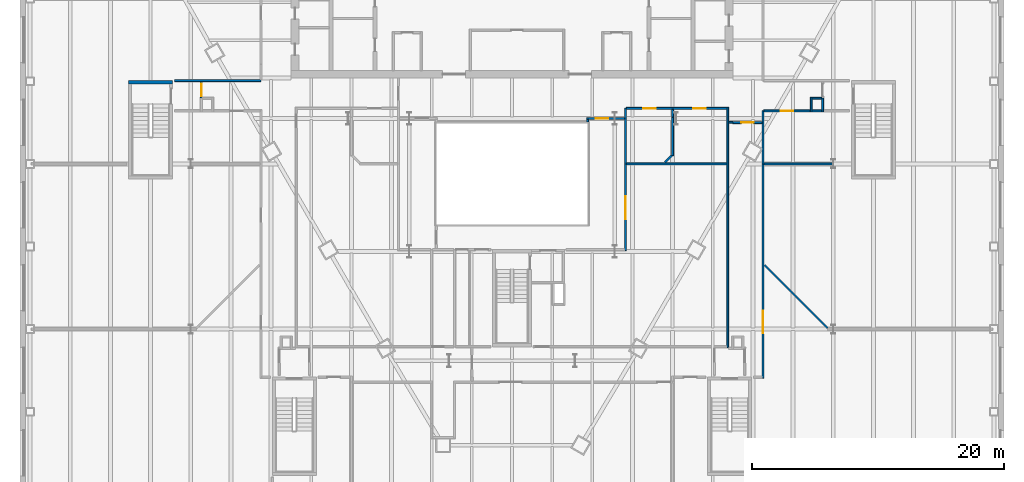
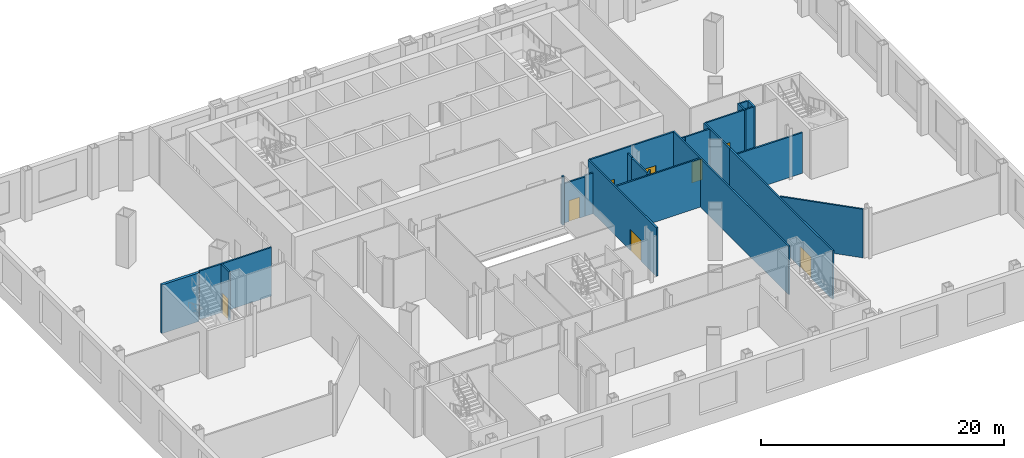
# One storey, part 11 of 21: 24 walls, 8 doors, 8 openings.
"""IFC4 building model written with IfcOpenShell, lengths in metres."""

from ifc_helpers import new_model, si_unit, direction, frame, frame_2d, origin, place, context, subcontext, project, spatial, rectangle, extrude, material, layer, layer_set, type_object, element, fill, save


model = new_model("IFC4")

# Units and contexts
model_context = context("Model", 3, precision=1e-05, world=origin(), true_north=direction((0.0, 1.0)))
body_context = subcontext(model_context, "Body", "Model", "MODEL_VIEW")
ifc_project = project(units=[si_unit("LENGTHUNIT", "METRE"), si_unit("AREAUNIT", "SQUARE_METRE"), si_unit("VOLUMEUNIT", "CUBIC_METRE"), si_unit("PLANEANGLEUNIT", "RADIAN"), si_unit("MASSUNIT", "GRAM", prefix="KILO")], contexts=[model_context])

# Site, building, storey
site_placement = place(None, origin())
site = spatial("IfcSite", under=ifc_project, at=site_placement, CompositionType="ELEMENT")
building_placement = place(site_placement, origin())
building = spatial("IfcBuilding", under=site, at=building_placement, Name="Njiva Tower", CompositionType="ELEMENT")
storey_placement = place(building_placement, frame((0.0, 0.0, 8.4)))
storey = spatial("IfcBuildingStorey", under=building, at=storey_placement, Name="L01", CompositionType="ELEMENT", Elevation=8.4)

# Wall
ifc_material_1 = material(Name="Gypsum board on steel studs", Category="gypsum")
ifc_layer_1 = layer(ifc_material_1, 0.15)
ifc_layer_set_1 = layer_set([ifc_layer_1], Name="Gypsum board on steel studs")
wall_type_1 = type_object("IfcWallType", Name="WT21 Compartment wall 150", PredefinedType="PARTITIONING", material=ifc_layer_set_1)
wall_1_placement = place(storey_placement, frame((-26.75, -0.2, 0.0), z_axis=(0.0, 0.0, 1.0), x_axis=(1.0, 0.0, 0.0)))
element("IfcWall", 1, at=wall_1_placement, inside=storey, type_object=wall_type_1, Name="Partition L01-P005", PredefinedType="PARTITIONING", context=body_context, shape_type="SweptSolid", body=[
    extrude(rectangle(XDim=6.846, YDim=0.15, at=frame_2d((3.423, 0.0))), origin(), (0.0, 0.0, 1.0), 4.88),
])

# Wall, opening, door
wall_2_placement = place(storey_placement, frame((-24.625, -1.588, 0.0), z_axis=(0.0, 0.0, 1.0), x_axis=(0.0, 1.0, 0.0)))
wall_2 = element("IfcWall", 2, at=wall_2_placement, inside=storey, type_object=wall_type_1, Name="Partition L01-P008", PredefinedType="PARTITIONING", context=body_context, shape_type="SweptSolid", body=[
    extrude(rectangle(XDim=1.313, YDim=0.15, at=frame_2d((0.6565, 0.0))), origin(), (0.0, 0.0, 1.0), 4.88),
])
opening_1_placement = place(wall_2_placement, frame((0.157, 0.0, 0.0)))
opening_1 = element("IfcOpeningElement", 3, at=opening_1_placement, cuts=wall_2, Name="Opening L01-D001", PredefinedType="OPENING", context=body_context, shape_type="SweptSolid", body=[
    extrude(rectangle(XDim=1.0, YDim=2.1, at=frame_2d((0.5, 1.05))), frame((0.0, 0.085, 0.0), z_axis=(0.0, -1.0, 0.0), x_axis=(1.0, 0.0, 0.0)), (0.0, 0.0, 1.0), 0.17),
])
ifc_material_2 = material(Name="Glazed steel fire door", Category="steel")
door_type_1 = type_object("IfcDoorType", Name="D41 Glazed fire door 1000x2100", OperationType="SINGLE_SWING_LEFT", PredefinedType="DOOR", material=ifc_material_2)
door_1_placement = place(opening_1_placement, origin())
door_1 = element("IfcDoor", 4, at=door_1_placement, inside=storey, type_object=door_type_1, Name="Door L01-D001", OperationType="SINGLE_SWING_LEFT", OverallHeight=2.1, OverallWidth=1.0, PredefinedType="DOOR", context=body_context, shape_type="SweptSolid", body=[
    extrude(rectangle(XDim=1.0, YDim=2.1, at=frame_2d((0.5, 1.05))), frame((0.0, 0.025, 0.0), z_axis=(0.0, -1.0, 0.0), x_axis=(1.0, 0.0, 0.0)), (0.0, 0.0, 1.0), 0.05),
])
fill(opening_1, door_1)

wall_3_placement = place(storey_placement, frame((5.925, -3.2, 0.0), z_axis=(0.0, 0.0, 1.0), x_axis=(1.0, 0.0, 0.0)))
wall_3 = element("IfcWall", 5, at=wall_3_placement, inside=storey, type_object=wall_type_1, Name="Partition L01-P059", PredefinedType="PARTITIONING", context=body_context, shape_type="SweptSolid", body=[
    extrude(rectangle(XDim=2.225, YDim=0.15, at=frame_2d((1.1125, 0.0))), origin(), (0.0, 0.0, 1.0), 3.97),
])
opening_2_placement = place(wall_3_placement, frame((0.713, 0.0, 0.0)))
opening_2 = element("IfcOpeningElement", 6, at=opening_2_placement, cuts=wall_3, Name="Opening L01-D022", PredefinedType="OPENING", context=body_context, shape_type="SweptSolid", body=[
    extrude(rectangle(XDim=1.0, YDim=2.1, at=frame_2d((0.5, 1.05))), frame((0.0, 0.085, 0.0), z_axis=(0.0, -1.0, 0.0), x_axis=(1.0, 0.0, 0.0)), (0.0, 0.0, 1.0), 0.17),
])
ifc_material_3 = material(Name="Steel fire door set", Category="steel")
door_type_2 = type_object("IfcDoorType", Name="D37 Fire door 1000x2100", OperationType="SINGLE_SWING_LEFT", PredefinedType="DOOR", material=ifc_material_3)
door_2_placement = place(opening_2_placement, origin())
door_2 = element("IfcDoor", 7, at=door_2_placement, inside=storey, type_object=door_type_2, Name="Door L01-D022", OperationType="SINGLE_SWING_LEFT", OverallHeight=2.1, OverallWidth=1.0, PredefinedType="DOOR", context=body_context, shape_type="SweptSolid", body=[
    extrude(rectangle(XDim=1.0, YDim=2.1, at=frame_2d((0.5, 1.05))), frame((0.0, 0.025, 0.0), z_axis=(0.0, -1.0, 0.0), x_axis=(1.0, 0.0, 0.0)), (0.0, 0.0, 1.0), 0.05),
])
fill(opening_2, door_2)

# Walls
wall_4_placement = place(storey_placement, frame((8.15, -3.2, 0.0), z_axis=(0.0, 0.0, 1.0), x_axis=(1.0, 0.0, 0.0)))
element("IfcWall", 8, at=wall_4_placement, inside=storey, type_object=wall_type_1, Name="Partition L01-P059A", PredefinedType="PARTITIONING", context=body_context, shape_type="SweptSolid", body=[
    extrude(rectangle(XDim=0.775, YDim=0.15, at=frame_2d((0.3875, 0.0))), origin(), (0.0, 0.0, 1.0), 4.09),
])
wall_5_placement = place(storey_placement, frame((6.0, -3.48, 0.0), z_axis=(0.0, 0.0, 1.0), x_axis=(0.0, 1.0, 0.0)))
element("IfcWall", 9, at=wall_5_placement, inside=storey, type_object=wall_type_1, Name="Partition L01-P060", PredefinedType="PARTITIONING", context=body_context, shape_type="SweptSolid", body=[
    extrude(rectangle(XDim=0.205, YDim=0.15, at=frame_2d((0.1025, 0.0))), origin(), (0.0, 0.0, 1.0), 4.88),
])

# Wall, opening, door
wall_6_placement = place(storey_placement, frame((9.0, -13.675, 0.0), z_axis=(0.0, 0.0, 1.0), x_axis=(0.0, 1.0, 0.0)))
wall_6 = element("IfcWall", 10, at=wall_6_placement, inside=storey, type_object=wall_type_1, Name="Partition L01-P061", PredefinedType="PARTITIONING", context=body_context, shape_type="SweptSolid", body=[
    extrude(rectangle(XDim=11.287, YDim=0.15, at=frame_2d((5.6435, 0.0))), origin(), (0.0, 0.0, 1.0), 4.88),
])
opening_3_placement = place(wall_6_placement, frame((2.498, 0.0, 0.0)))
opening_3 = element("IfcOpeningElement", 11, at=opening_3_placement, cuts=wall_6, Name="Opening L01-D023", PredefinedType="OPENING", context=body_context, shape_type="SweptSolid", body=[
    extrude(rectangle(XDim=1.8, YDim=2.1, at=frame_2d((0.9, 1.05))), frame((0.0, 0.085, 0.0), z_axis=(0.0, -1.0, 0.0), x_axis=(1.0, 0.0, 0.0)), (0.0, 0.0, 1.0), 0.17),
])
door_type_3 = type_object("IfcDoorType", Name="D38 Fire door 1800x2100", OperationType="DOUBLE_DOOR_SINGLE_SWING", PredefinedType="DOOR", material=ifc_material_3)
door_3_placement = place(opening_3_placement, origin())
door_3 = element("IfcDoor", 12, at=door_3_placement, inside=storey, type_object=door_type_3, Name="Door L01-D023", OperationType="DOUBLE_DOOR_SINGLE_SWING", OverallHeight=2.1, OverallWidth=1.8, PredefinedType="DOOR", context=body_context, shape_type="SweptSolid", body=[
    extrude(rectangle(XDim=1.8, YDim=2.1, at=frame_2d((0.9, 1.05))), frame((0.0, 0.025, 0.0), z_axis=(0.0, -1.0, 0.0), x_axis=(1.0, 0.0, 0.0)), (0.0, 0.0, 1.0), 0.05),
])
fill(opening_3, door_3)

# Wall
wall_7_placement = place(storey_placement, frame((9.075, -6.8, 0.0), z_axis=(0.0, 0.0, 1.0), x_axis=(1.0, 0.0, 0.0)))
element("IfcWall", 13, at=wall_7_placement, inside=storey, type_object=wall_type_1, Name="Partition L01-P062", PredefinedType="PARTITIONING", context=body_context, shape_type="SweptSolid", body=[
    extrude(rectangle(XDim=7.95, YDim=0.15, at=frame_2d((3.975, 0.0))), origin(), (0.0, 0.0, 1.0), 4.88),
])

# Wall, openings, doors
wall_8_placement = place(storey_placement, frame((9.075, -2.4, 0.0), z_axis=(0.0, 0.0, 1.0), x_axis=(1.0, 0.0, 0.0)))
wall_8 = element("IfcWall", 14, at=wall_8_placement, inside=storey, type_object=wall_type_1, Name="Partition L01-P063", PredefinedType="PARTITIONING", context=body_context, shape_type="SweptSolid", body=[
    extrude(rectangle(XDim=7.95, YDim=0.15, at=frame_2d((3.975, 0.0))), origin(), (0.0, 0.0, 1.0), 4.88),
])
opening_4_placement = place(wall_8_placement, frame((1.329, 0.0, 0.0)))
opening_4 = element("IfcOpeningElement", 15, at=opening_4_placement, cuts=wall_8, Name="Opening L01-D024", PredefinedType="OPENING", context=body_context, shape_type="SweptSolid", body=[
    extrude(rectangle(XDim=1.0, YDim=2.1, at=frame_2d((0.5, 1.05))), frame((0.0, 0.085, 0.0), z_axis=(0.0, -1.0, 0.0), x_axis=(1.0, 0.0, 0.0)), (0.0, 0.0, 1.0), 0.17),
])
opening_5_placement = place(wall_8_placement, frame((5.279, 0.0, 0.0)))
opening_5 = element("IfcOpeningElement", 16, at=opening_5_placement, cuts=wall_8, Name="Opening L01-D025", PredefinedType="OPENING", context=body_context, shape_type="SweptSolid", body=[
    extrude(rectangle(XDim=1.0, YDim=2.1, at=frame_2d((0.5, 1.05))), frame((0.0, 0.085, 0.0), z_axis=(0.0, -1.0, 0.0), x_axis=(1.0, 0.0, 0.0)), (0.0, 0.0, 1.0), 0.17),
])
door_4_placement = place(opening_4_placement, origin())
door_4 = element("IfcDoor", 17, at=door_4_placement, inside=storey, type_object=door_type_2, Name="Door L01-D024", OperationType="SINGLE_SWING_LEFT", OverallHeight=2.1, OverallWidth=1.0, PredefinedType="DOOR", context=body_context, shape_type="SweptSolid", body=[
    extrude(rectangle(XDim=1.0, YDim=2.1, at=frame_2d((0.5, 1.05))), frame((0.0, 0.025, 0.0), z_axis=(0.0, -1.0, 0.0), x_axis=(1.0, 0.0, 0.0)), (0.0, 0.0, 1.0), 0.05),
])
fill(opening_4, door_4)
door_5_placement = place(opening_5_placement, origin())
door_5 = element("IfcDoor", 18, at=door_5_placement, inside=storey, type_object=door_type_2, Name="Door L01-D025", OperationType="SINGLE_SWING_RIGHT", OverallHeight=2.1, OverallWidth=1.0, PredefinedType="DOOR", context=body_context, shape_type="SweptSolid", body=[
    extrude(rectangle(XDim=1.0, YDim=2.1, at=frame_2d((0.5, 1.05))), frame((0.0, 0.025, 0.0), z_axis=(0.0, -1.0, 0.0), x_axis=(1.0, 0.0, 0.0)), (0.0, 0.0, 1.0), 0.05),
])
fill(opening_5, door_5)

# Walls
wall_9_placement = place(storey_placement, frame((12.128, -6.672, 0.0), z_axis=(0.0, 0.0, 1.0), x_axis=(0.707106781187, 0.707106781187, 0.0)))
element("IfcWall", 19, at=wall_9_placement, inside=storey, type_object=wall_type_1, Name="Partition L01-P065", PredefinedType="PARTITIONING", context=body_context, shape_type="SweptSolid", body=[
    extrude(rectangle(XDim=0.7495, YDim=0.15, at=frame_2d((0.3748, 0.0))), origin(), (0.0, 0.0, 1.0), 4.88),
])
wall_10_placement = place(storey_placement, frame((12.733, -6.142, 0.0), z_axis=(0.0, 0.0, 1.0), x_axis=(0.0, 1.0, 0.0)))
element("IfcWall", 20, at=wall_10_placement, inside=storey, type_object=wall_type_1, Name="Partition L01-P068", PredefinedType="PARTITIONING", context=body_context, shape_type="SweptSolid", body=[
    extrude(rectangle(XDim=3.042, YDim=0.15, at=frame_2d((1.521, 0.0))), origin(), (0.0, 0.0, 1.0), 4.19),
])
wall_11_placement = place(storey_placement, frame((12.733, -3.1, 0.0), z_axis=(0.0, 0.0, 1.0), x_axis=(0.0, 1.0, 0.0)))
element("IfcWall", 21, at=wall_11_placement, inside=storey, type_object=wall_type_1, Name="Partition L01-P068A", PredefinedType="PARTITIONING", context=body_context, shape_type="SweptSolid", body=[
    extrude(rectangle(XDim=0.625, YDim=0.15, at=frame_2d((0.3125, 0.0))), origin(), (0.0, 0.0, 1.0), 4.28),
])
wall_12_placement = place(storey_placement, frame((17.1, -21.375, 0.0), z_axis=(0.0, 0.0, 1.0), x_axis=(0.0, 1.0, 0.0)))
element("IfcWall", 22, at=wall_12_placement, inside=storey, type_object=wall_type_1, Name="Partition L01-P071", PredefinedType="PARTITIONING", context=body_context, shape_type="SweptSolid", body=[
    extrude(rectangle(XDim=19.05, YDim=0.15, at=frame_2d((9.525, 0.0))), origin(), (0.0, 0.0, 1.0), 4.88),
])
wall_13_placement = place(storey_placement, frame((17.175, -3.5, 0.0), z_axis=(0.0, 0.0, 1.0), x_axis=(1.0, 0.0, 0.0)))
element("IfcWall", 23, at=wall_13_placement, inside=storey, type_object=wall_type_1, Name="Partition L01-P073", PredefinedType="PARTITIONING", context=body_context, shape_type="SweptSolid", body=[
    extrude(rectangle(XDim=0.325, YDim=0.15, at=frame_2d((0.1625, 0.0))), origin(), (0.0, 0.0, 1.0), 4.88),
])

# Wall, opening, door
wall_14_placement = place(storey_placement, frame((17.5, -3.525, 0.0), z_axis=(0.0, 0.0, 1.0), x_axis=(1.0, 0.0, 0.0)))
wall_14 = element("IfcWall", 24, at=wall_14_placement, inside=storey, type_object=wall_type_1, Name="Partition L01-P075", PredefinedType="PARTITIONING", context=body_context, shape_type="SweptSolid", body=[
    extrude(rectangle(XDim=2.325, YDim=0.15, at=frame_2d((1.1625, 0.0))), origin(), (0.0, 0.0, 1.0), 4.88),
])
opening_6_placement = place(wall_14_placement, frame((0.662, 0.0, 0.0)))
opening_6 = element("IfcOpeningElement", 25, at=opening_6_placement, cuts=wall_14, Name="Opening L01-D028", PredefinedType="OPENING", context=body_context, shape_type="SweptSolid", body=[
    extrude(rectangle(XDim=1.0, YDim=2.1, at=frame_2d((0.5, 1.05))), frame((0.0, 0.085, 0.0), z_axis=(0.0, -1.0, 0.0), x_axis=(1.0, 0.0, 0.0)), (0.0, 0.0, 1.0), 0.17),
])
door_6_placement = place(opening_6_placement, origin())
door_6 = element("IfcDoor", 26, at=door_6_placement, inside=storey, type_object=door_type_2, Name="Door L01-D028", OperationType="SINGLE_SWING_RIGHT", OverallHeight=2.1, OverallWidth=1.0, PredefinedType="DOOR", context=body_context, shape_type="SweptSolid", body=[
    extrude(rectangle(XDim=1.0, YDim=2.1, at=frame_2d((0.5, 1.05))), frame((0.0, 0.025, 0.0), z_axis=(0.0, -1.0, 0.0), x_axis=(1.0, 0.0, 0.0)), (0.0, 0.0, 1.0), 0.05),
])
fill(opening_6, door_6)

wall_15_placement = place(storey_placement, frame((19.9, -23.775, 0.0), z_axis=(0.0, 0.0, 1.0), x_axis=(0.0, 1.0, 0.0)))
wall_15 = element("IfcWall", 27, at=wall_15_placement, inside=storey, type_object=wall_type_1, Name="Partition L01-P083", PredefinedType="PARTITIONING", context=body_context, shape_type="SweptSolid", body=[
    extrude(rectangle(XDim=16.972, YDim=0.15, at=frame_2d((8.486, 0.0))), origin(), (0.0, 0.0, 1.0), 4.88),
])
opening_7_placement = place(wall_15_placement, frame((3.548, 0.0, 0.0)))
opening_7 = element("IfcOpeningElement", 28, at=opening_7_placement, cuts=wall_15, Name="Opening L01-D030", PredefinedType="OPENING", context=body_context, shape_type="SweptSolid", body=[
    extrude(rectangle(XDim=1.8, YDim=2.1, at=frame_2d((0.9, 1.05))), frame((0.0, 0.085, 0.0), z_axis=(0.0, -1.0, 0.0), x_axis=(1.0, 0.0, 0.0)), (0.0, 0.0, 1.0), 0.17),
])
door_7_placement = place(opening_7_placement, origin())
door_7 = element("IfcDoor", 29, at=door_7_placement, inside=storey, type_object=door_type_3, Name="Door L01-D030", OperationType="DOUBLE_DOOR_SINGLE_SWING", OverallHeight=2.1, OverallWidth=1.8, PredefinedType="DOOR", context=body_context, shape_type="SweptSolid", body=[
    extrude(rectangle(XDim=1.8, YDim=2.1, at=frame_2d((0.9, 1.05))), frame((0.0, 0.025, 0.0), z_axis=(0.0, -1.0, 0.0), x_axis=(1.0, 0.0, 0.0)), (0.0, 0.0, 1.0), 0.05),
])
fill(opening_7, door_7)

# Walls
wall_16_placement = place(storey_placement, frame((19.9, -6.8, 0.0), z_axis=(0.0, 0.0, 1.0), x_axis=(0.0, 1.0, 0.0)))
element("IfcWall", 30, at=wall_16_placement, inside=storey, type_object=wall_type_1, Name="Partition L01-P084", PredefinedType="PARTITIONING", context=body_context, shape_type="SweptSolid", body=[
    extrude(rectangle(XDim=4.212, YDim=0.15, at=frame_2d((2.106, 0.0))), origin(), (0.0, 0.0, 1.0), 4.88),
])
wall_17_placement = place(storey_placement, frame((19.975, -6.8, 0.0), z_axis=(0.0, 0.0, 1.0), x_axis=(1.0, 0.0, 0.0)))
element("IfcWall", 31, at=wall_17_placement, inside=storey, type_object=wall_type_1, Name="Partition L01-P087", PredefinedType="PARTITIONING", context=body_context, shape_type="SweptSolid", body=[
    extrude(rectangle(XDim=6.775, YDim=0.15, at=frame_2d((3.3875, 0.0))), origin(), (0.0, 0.0, 1.0), 4.09),
])

# Wall, opening, door
wall_18_placement = place(storey_placement, frame((19.975, -2.6, 0.0), z_axis=(0.0, 0.0, 1.0), x_axis=(1.0, 0.0, 0.0)))
wall_18 = element("IfcWall", 32, at=wall_18_placement, inside=storey, type_object=wall_type_1, Name="Partition L01-P088", PredefinedType="PARTITIONING", context=body_context, shape_type="SweptSolid", body=[
    extrude(rectangle(XDim=3.675, YDim=0.15, at=frame_2d((1.8375, 0.0))), origin(), (0.0, 0.0, 1.0), 4.88),
])
opening_8_placement = place(wall_18_placement, frame((1.312, 0.0, 0.0)))
opening_8 = element("IfcOpeningElement", 33, at=opening_8_placement, cuts=wall_18, Name="Opening L01-D032", PredefinedType="OPENING", context=body_context, shape_type="SweptSolid", body=[
    extrude(rectangle(XDim=1.0, YDim=2.1, at=frame_2d((0.5, 1.05))), frame((0.0, 0.085, 0.0), z_axis=(0.0, -1.0, 0.0), x_axis=(1.0, 0.0, 0.0)), (0.0, 0.0, 1.0), 0.17),
])
door_8_placement = place(opening_8_placement, origin())
door_8 = element("IfcDoor", 34, at=door_8_placement, inside=storey, type_object=door_type_2, Name="Door L01-D032", OperationType="SINGLE_SWING_LEFT", OverallHeight=2.1, OverallWidth=1.0, PredefinedType="DOOR", context=body_context, shape_type="SweptSolid", body=[
    extrude(rectangle(XDim=1.0, YDim=2.1, at=frame_2d((0.5, 1.05))), frame((0.0, 0.025, 0.0), z_axis=(0.0, -1.0, 0.0), x_axis=(1.0, 0.0, 0.0)), (0.0, 0.0, 1.0), 0.05),
])
fill(opening_8, door_8)

# Walls
wall_19_placement = place(storey_placement, frame((20.028, -14.826, 0.0), z_axis=(0.0, 0.0, 1.0), x_axis=(0.707106781187, -0.707106781187, 0.0)))
element("IfcWall", 35, at=wall_19_placement, inside=storey, type_object=wall_type_1, Name="Partition L01-P090", PredefinedType="PARTITIONING", context=body_context, shape_type="SweptSolid", body=[
    extrude(rectangle(XDim=7.0697, YDim=0.15, at=frame_2d((3.5348, 0.0))), origin(), (0.0, 0.0, 1.0), 4.88),
])
ifc_layer_2 = layer(ifc_material_1, 0.15)
ifc_layer_set_2 = layer_set([ifc_layer_2], Name="Gypsum board on steel studs")
wall_type_2 = type_object("IfcWallType", Name="WT24 Riser room wall 150", PredefinedType="PARTITIONING", material=ifc_layer_set_2)
wall_20_placement = place(storey_placement, frame((23.725, -2.675, 0.0), z_axis=(0.0, 0.0, 1.0), x_axis=(0.0, 1.0, 0.0)))
element("IfcWall", 36, at=wall_20_placement, inside=storey, type_object=wall_type_2, Name="Partition L01-P091", PredefinedType="PARTITIONING", context=body_context, shape_type="SweptSolid", body=[
    extrude(rectangle(XDim=1.15, YDim=0.15, at=frame_2d((0.575, 0.0))), origin(), (0.0, 0.0, 1.0), 4.88),
])
for number, where, z_axis, x_axis, name in (
    (37, (23.8, -2.6, 0.0), (0.0, 0.0, 1.0), (1.0, 0.0, 0.0), "Partition L01-P092"),
    (38, (23.8, -1.6, 0.0), (0.0, 0.0, 1.0), (1.0, 0.0, 0.0), "Partition L01-P093"),
):
    element("IfcWall", number, at=place(storey_placement, frame(where, z_axis=z_axis, x_axis=x_axis)), inside=storey, type_object=wall_type_2, Name=name, PredefinedType="PARTITIONING", context=body_context, shape_type="SweptSolid", body=[
        extrude(rectangle(XDim=0.75, YDim=0.15, at=frame_2d((0.375, 0.0))), origin(), (0.0, 0.0, 1.0), 4.88),
    ])
wall_21_placement = place(storey_placement, frame((24.625, -2.675, 0.0), z_axis=(0.0, 0.0, 1.0), x_axis=(0.0, 1.0, 0.0)))
element("IfcWall", 39, at=wall_21_placement, inside=storey, type_object=wall_type_2, Name="Partition L01-P094", PredefinedType="PARTITIONING", context=body_context, shape_type="SweptSolid", body=[
    extrude(rectangle(XDim=1.087, YDim=0.15, at=frame_2d((0.5435, 0.0))), origin(), (0.0, 0.0, 1.0), 4.88),
])
ifc_material_4 = material(Name="Concrete C40/50", Category="concrete")
ifc_layer_3 = layer(ifc_material_4, 0.25)
ifc_layer_set_3 = layer_set([ifc_layer_3], Name="Concrete C40/50")
wall_type_3 = type_object("IfcWallType", Name="WT9 Stair enclosure wall 250", PredefinedType="SHEAR", material=ifc_layer_set_3)
wall_22_placement = place(storey_placement, frame((-30.4, -0.325, 0.0), z_axis=(0.0, 0.0, 1.0), x_axis=(1.0, 0.0, 0.0)))
element("IfcWall", 40, at=wall_22_placement, inside=storey, type_object=wall_type_3, Name="Stair F wall north", PredefinedType="SHEAR", context=body_context, shape_type="SweptSolid", body=[
    extrude(rectangle(XDim=3.5, YDim=0.25, at=frame_2d((1.75, 0.0))), origin(), (0.0, 0.0, 1.0), 4.88),
])

save(model, "model.ifc")
